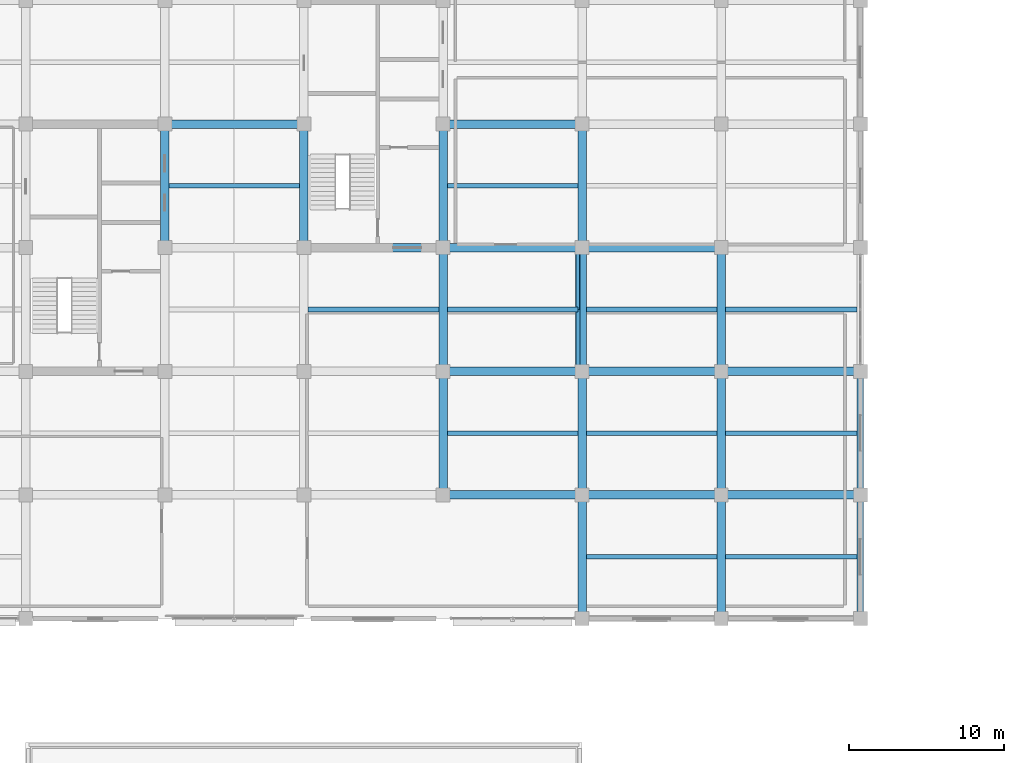
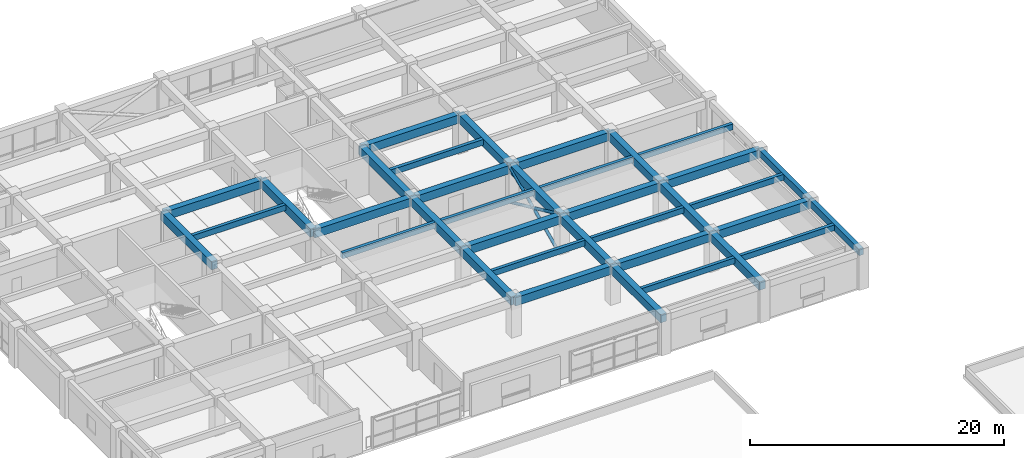
# One storey, part 7 of 23: 36 beams, 2 members.
"""IFC4 building model written with IfcOpenShell, lengths in metres."""

from ifc_helpers import new_model, si_unit, direction, frame, origin, origin_2d, place, context, subcontext, project, spatial, rectangle, hollow_circle, extrude, material, material_profile, profile_set, type_object, element, save


model = new_model("IFC4")

# Units and contexts
model_context = context("Model", 3, precision=1e-05, world=origin(), true_north=direction((0.0, 1.0)))
body_context = subcontext(model_context, "Body", "Model", "MODEL_VIEW")
ifc_project = project(units=[si_unit("LENGTHUNIT", "METRE"), si_unit("AREAUNIT", "SQUARE_METRE"), si_unit("VOLUMEUNIT", "CUBIC_METRE"), si_unit("PLANEANGLEUNIT", "RADIAN"), si_unit("MASSUNIT", "GRAM", prefix="KILO")], contexts=[model_context])

# Site, building, storey
site_placement = place(None, origin())
site = spatial("IfcSite", under=ifc_project, at=site_placement, CompositionType="ELEMENT")
building_placement = place(site_placement, origin())
building = spatial("IfcBuilding", under=site, at=building_placement, Name="Zaverband Oceanarium and Marine Research Institute", CompositionType="ELEMENT")
storey_placement = place(building_placement, frame((0.0, 0.0, 21.89990234375)))
storey = spatial("IfcBuildingStorey", under=building, at=storey_placement, Name="L05", CompositionType="ELEMENT", Elevation=21.89990234375)

# Beams
ifc_material_1 = material(Name="Concrete C40/50", Category="concrete")
ifc_material_profile_1 = material_profile(ifc_material_1, rectangle(XDim=0.550048828125, YDim=0.800048828125, at=origin_2d()), Name="RC550x800")
ifc_profile_set_1 = profile_set([ifc_material_profile_1], Name="Concrete C40/50")
beam_type_1 = type_object("IfcBeamType", Name="BM-550x800", PredefinedType="BEAM", material=ifc_profile_set_1)
for number, where, z_axis, x_axis, name in (
    (1, (45.0, 72.0, 3.25), (1.0, 0.0, 0.0), (0.0, 1.0, 0.0), "Primary floor girder BM-550x800"),
    (2, (54.0, 72.0, 3.25), (1.0, 0.0, 0.0), (0.0, 1.0, 0.0), "Primary floor girder BM-550x800"),
    (3, (63.0, 72.0, 3.25), (1.0, 0.0, 0.0), (0.0, 1.0, 0.0), "Primary floor girder BM-550x800"),
    (4, (45.0, 80.0, 3.25), (1.0, 0.0, 0.0), (0.0, 1.0, 0.0), "Primary floor girder BM-550x800"),
    (5, (54.0, 80.0, 3.25), (1.0, 0.0, 0.0), (0.0, 1.0, 0.0), "Primary floor girder BM-550x800"),
    (6, (63.0, 80.0, 3.25), (1.0, 0.0, 0.0), (0.0, 1.0, 0.0), "Primary floor girder BM-550x800"),
    (7, (36.0, 88.0, 3.25), (1.0, 0.0, 0.0), (0.0, 1.0, 0.0), "Primary floor girder BM-550x800"),
    (8, (45.0, 88.0, 3.25), (1.0, 0.0, 0.0), (0.0, 1.0, 0.0), "Primary floor girder BM-550x800"),
    (9, (54.0, 88.0, 3.25), (1.0, 0.0, 0.0), (0.0, 1.0, 0.0), "Primary floor girder BM-550x800"),
    (10, (27.0, 96.0, 3.25), (1.0, 0.0, 0.0), (0.0, 1.0, 0.0), "Primary floor girder BM-550x800"),
    (11, (45.0, 96.0, 3.25), (1.0, 0.0, 0.0), (0.0, 1.0, 0.0), "Primary floor girder BM-550x800"),
):
    element("IfcBeam", number, at=place(storey_placement, frame(where, z_axis=z_axis, x_axis=x_axis)), inside=storey, type_object=beam_type_1, Name=name, PredefinedType="BEAM", context=body_context, shape_type="SweptSolid", body=[
        extrude(rectangle(XDim=0.550048828125, YDim=0.800048828125, at=origin_2d()), origin(), (0.0, 0.0, 1.0), 9.0),
    ])
for number, where, z_axis, x_axis, name in (
    (12, (27.0, 88.0, 3.25), (0.0, 1.0, 0.0), (-1.0, 0.0, 0.0), "Primary floor girder BM-550x800"),
    (13, (36.0, 88.0, 3.25), (0.0, 1.0, 0.0), (-1.0, 0.0, 0.0), "Primary floor girder BM-550x800"),
    (14, (45.0, 72.0, 3.25), (0.0, 1.0, 0.0), (-1.0, 0.0, 0.0), "Primary floor girder BM-550x800"),
    (15, (45.0, 80.0, 3.25), (0.0, 1.0, 0.0), (-1.0, 0.0, 0.0), "Primary floor girder BM-550x800"),
    (16, (45.0, 88.0, 3.25), (0.0, 1.0, 0.0), (-1.0, 0.0, 0.0), "Primary floor girder BM-550x800"),
    (17, (54.0, 64.0, 3.25), (0.0, 1.0, 0.0), (-1.0, 0.0, 0.0), "Primary floor girder BM-550x800"),
    (18, (54.0, 72.0, 3.25), (0.0, 1.0, 0.0), (-1.0, 0.0, 0.0), "Primary floor girder BM-550x800"),
    (19, (54.0, 80.0, 3.25), (0.0, 1.0, 0.0), (-1.0, 0.0, 0.0), "Primary floor girder BM-550x800"),
    (20, (54.0, 88.0, 3.25), (0.0, 1.0, 0.0), (-1.0, 0.0, 0.0), "Primary floor girder BM-550x800"),
    (21, (63.0, 64.0, 3.25), (0.0, 1.0, 0.0), (-1.0, 0.0, 0.0), "Primary floor girder BM-550x800"),
    (22, (63.0, 72.0, 3.25), (0.0, 1.0, 0.0), (-1.0, 0.0, 0.0), "Primary floor girder BM-550x800"),
    (23, (63.0, 80.0, 3.25), (0.0, 1.0, 0.0), (-1.0, 0.0, 0.0), "Primary floor girder BM-550x800"),
):
    element("IfcBeam", number, at=place(storey_placement, frame(where, z_axis=z_axis, x_axis=x_axis)), inside=storey, type_object=beam_type_1, Name=name, PredefinedType="BEAM", context=body_context, shape_type="SweptSolid", body=[
        extrude(rectangle(XDim=0.550048828125, YDim=0.800048828125, at=origin_2d()), origin(), (0.0, 0.0, 1.0), 8.0),
    ])

# Members
ifc_material_2 = material(Name="Steel S355", Category="steel")
ifc_material_profile_2 = material_profile(ifc_material_2, hollow_circle(Radius=0.136474609375, WallThickness=0.010009765625, at=origin_2d()), Name="CHS273x10")
ifc_profile_set_2 = profile_set([ifc_material_profile_2], Name="Steel S355")
member_type = type_object("IfcMemberType", Name="BR-01", PredefinedType="BRACE", material=ifc_profile_set_2)
for number, where, z_axis, x_axis, name in (
    (24, (53.719970703125, 80.0, 0.0), (0.0, 0.90977508744, 0.415101542124), (-1.0, 0.0, 0.0), "Diagonal lateral brace BR-01"),
    (25, (53.719970703125, 88.0, 0.0), (0.0, -0.90977508744, 0.415101542124), (1.0, 0.0, 0.0), "Diagonal lateral brace BR-01"),
):
    element("IfcMember", number, at=place(storey_placement, frame(where, z_axis=z_axis, x_axis=x_axis)), inside=storey, type_object=member_type, Name=name, PredefinedType="BRACE", context=body_context, shape_type="SweptSolid", body=[
        extrude(hollow_circle(Radius=0.136474609375, WallThickness=0.010009765625, at=origin_2d()), origin(), (0.0, 0.0, 1.0), 8.79345703125),
    ])

# Beams
ifc_material_profile_3 = material_profile(ifc_material_1, rectangle(XDim=0.300048828125, YDim=0.550048828125, at=origin_2d()), Name="RC300x550")
ifc_profile_set_3 = profile_set([ifc_material_profile_3], Name="Concrete C40/50")
beam_type_2 = type_object("IfcBeamType", Name="JST-300x550", PredefinedType="JOIST", material=ifc_profile_set_3)
for number, where, z_axis, x_axis, name in (
    (26, (27.27490234375, 92.0, 3.375), (1.0, 0.0, 0.0), (0.0, 1.0, 0.0), "Secondary floor joist JST-300x550"),
    (27, (36.27490234375, 84.0, 3.375), (1.0, 0.0, 0.0), (0.0, 1.0, 0.0), "Secondary floor joist JST-300x550"),
    (28, (45.27490234375, 76.0, 3.375), (1.0, 0.0, 0.0), (0.0, 1.0, 0.0), "Secondary floor joist JST-300x550"),
    (29, (45.27490234375, 84.0, 3.375), (1.0, 0.0, 0.0), (0.0, 1.0, 0.0), "Secondary floor joist JST-300x550"),
    (30, (45.27490234375, 92.0, 3.375), (1.0, 0.0, 0.0), (0.0, 1.0, 0.0), "Secondary floor joist JST-300x550"),
    (31, (54.27490234375, 68.0, 3.375), (1.0, 0.0, 0.0), (0.0, 1.0, 0.0), "Secondary floor joist JST-300x550"),
    (32, (54.27490234375, 76.0, 3.375), (1.0, 0.0, 0.0), (0.0, 1.0, 0.0), "Secondary floor joist JST-300x550"),
    (33, (54.27490234375, 84.0, 3.375), (1.0, 0.0, 0.0), (0.0, 1.0, 0.0), "Secondary floor joist JST-300x550"),
):
    element("IfcBeam", number, at=place(storey_placement, frame(where, z_axis=z_axis, x_axis=x_axis)), inside=storey, type_object=beam_type_2, Name=name, PredefinedType="JOIST", context=body_context, shape_type="SweptSolid", body=[
        extrude(rectangle(XDim=0.300048828125, YDim=0.550048828125, at=origin_2d()), origin(), (0.0, 0.0, 1.0), 8.4501953125),
    ])
for number, where, z_axis, x_axis, name in (
    (34, (63.27490234375, 68.0, 3.375), (1.0, 0.0, 0.0), (0.0, 1.0, 0.0), "Secondary floor joist JST-300x550"),
    (35, (63.27490234375, 76.0, 3.375), (1.0, 0.0, 0.0), (0.0, 1.0, 0.0), "Secondary floor joist JST-300x550"),
    (36, (63.27490234375, 84.0, 3.375), (1.0, 0.0, 0.0), (0.0, 1.0, 0.0), "Secondary floor joist JST-300x550"),
):
    element("IfcBeam", number, at=place(storey_placement, frame(where, z_axis=z_axis, x_axis=x_axis)), inside=storey, type_object=beam_type_2, Name=name, PredefinedType="JOIST", context=body_context, shape_type="SweptSolid", body=[
        extrude(rectangle(XDim=0.300048828125, YDim=0.550048828125, at=origin_2d()), origin(), (0.0, 0.0, 1.0), 8.525146484375),
    ])
ifc_material_profile_4 = material_profile(ifc_material_1, rectangle(XDim=0.39990234375, YDim=0.64990234375, at=origin_2d()), Name="RC400x650")
ifc_profile_set_4 = profile_set([ifc_material_profile_4], Name="Concrete C40/50")
beam_type_3 = type_object("IfcBeamType", Name="SPN-400x650", PredefinedType="SPANDREL", material=ifc_profile_set_4)
for number, where, z_axis, x_axis, name in (
    (37, (72.0, 64.0, 3.3251953125), (0.0, 1.0, 0.0), (-1.0, 0.0, 0.0), "Perimeter spandrel beam SPN-400x650"),
    (38, (72.0, 72.0, 3.3251953125), (0.0, 1.0, 0.0), (-1.0, 0.0, 0.0), "Perimeter spandrel beam SPN-400x650"),
):
    element("IfcBeam", number, at=place(storey_placement, frame(where, z_axis=z_axis, x_axis=x_axis)), inside=storey, type_object=beam_type_3, Name=name, PredefinedType="SPANDREL", context=body_context, shape_type="SweptSolid", body=[
        extrude(rectangle(XDim=0.39990234375, YDim=0.64990234375, at=origin_2d()), origin(), (0.0, 0.0, 1.0), 8.0),
    ])

save(model, "model.ifc")
